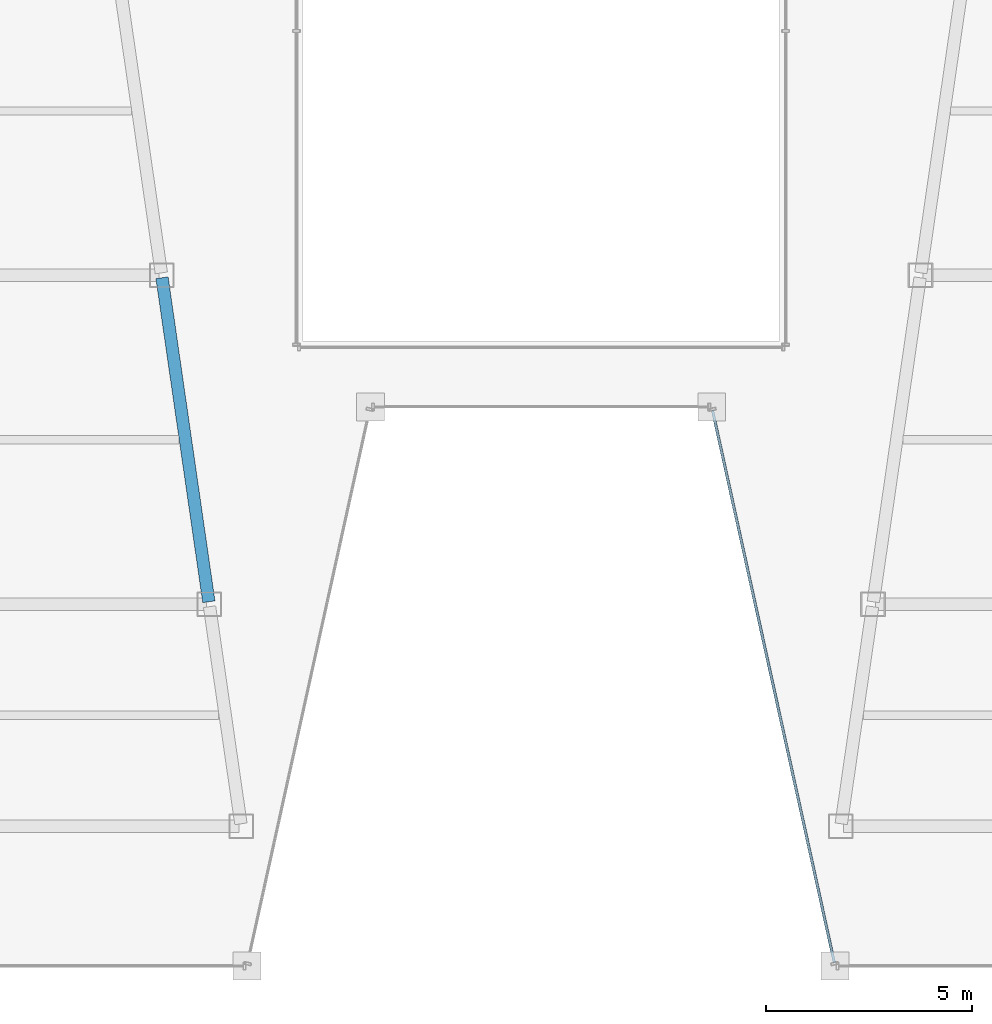
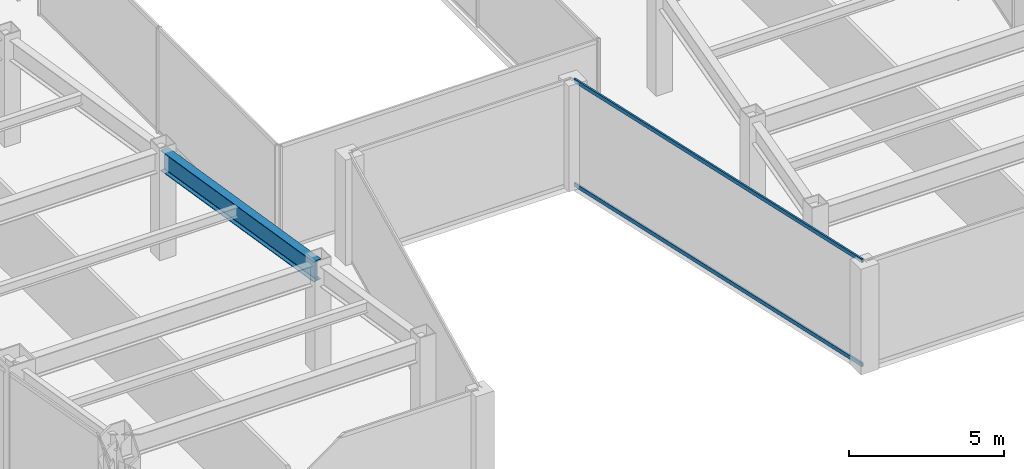
# One storey, part 6 of 37: 2 members, 1 beam, 1 element without a shape of its own.
"""IFC4 building model written with IfcOpenShell, lengths in metres."""

from ifc_helpers import new_model, si_unit, direction, frame, origin, origin_2d, place, context, subcontext, project, spatial, hollow_rectangle, i_section, extrude, material, material_profile, profile_set, type_object, element, aggregate, save


model = new_model("IFC4")

# Units and contexts
model_context = context("Model", 3, precision=1e-05, world=origin(), true_north=direction((0.0, 1.0)))
body_context = subcontext(model_context, "Body", "Model", "MODEL_VIEW")
ifc_project = project(units=[si_unit("LENGTHUNIT", "METRE"), si_unit("AREAUNIT", "SQUARE_METRE"), si_unit("VOLUMEUNIT", "CUBIC_METRE"), si_unit("PLANEANGLEUNIT", "RADIAN"), si_unit("MASSUNIT", "GRAM", prefix="KILO")], contexts=[model_context])

# Site, building, storey
site_placement = place(None, origin())
site = spatial("IfcSite", under=ifc_project, at=site_placement, CompositionType="ELEMENT")
building_placement = place(site_placement, origin())
building = spatial("IfcBuilding", under=site, at=building_placement, Name="Saevonmaru Cultural Tower", CompositionType="ELEMENT")
storey_placement = place(building_placement, frame((0.0, 0.0, 110.39990234375)))
storey = spatial("IfcBuildingStorey", under=building, at=storey_placement, Name="L23", CompositionType="ELEMENT", Elevation=110.39990234375)

# Beam
ifc_material_1 = material(Name="Steel SM420", Category="steel")
ifc_material_profile_1 = material_profile(ifc_material_1, i_section(OverallWidth=0.300048828125, OverallDepth=0.800048828125, WebThickness=0.013916015625, FlangeThickness=0.02587890625, FilletRadius=0.028076171875, at=origin_2d()), Name="H-800x300x14x26")
ifc_profile_set_1 = profile_set([ifc_material_profile_1], Name="Steel SM420")
beam_type = type_object("IfcBeamType", Name="BM-G-H800", PredefinedType="BEAM", material=ifc_profile_set_1)
beam_placement = place(storey_placement, frame((21.91943359375, 16.059326171875, 3.75), z_axis=(-0.143022161059, 0.989719486241, 0.0), x_axis=(-0.989719486241, -0.143022161059, 0.0)))
element("IfcBeam", 1, at=beam_placement, inside=storey, type_object=beam_type, Name="L23 West Atrium Girder 2", PredefinedType="BEAM", context=body_context, shape_type="SweptSolid", body=[
    extrude(i_section(OverallWidth=0.300048828125, OverallDepth=0.800048828125, WebThickness=0.013916015625, FlangeThickness=0.02587890625, FilletRadius=0.028076171875, at=origin_2d()), origin(), (0.0, 0.0, 1.0), 7.963134765625),
])

# Curtain wall, members
ifc_material_2 = material(Name="Satin Bronze Anodised Aluminium", Category="aluminium")
curtain_wall_type = type_object("IfcCurtainWallType", Name="CW-TYP-A", PredefinedType="NOTDEFINED", material=ifc_material_2)
curtain_wall_placement = place(storey_placement, origin())
curtain_wall = element("IfcCurtainWall", 2, at=curtain_wall_placement, inside=storey, type_object=curtain_wall_type, Name="L23 Unitised Curtain Wall E5", PredefinedType="NOTDEFINED")
ifc_material_profile_2 = material_profile(ifc_material_2, hollow_rectangle(XDim=0.06494140625, YDim=0.14990234375, WallThickness=0.00390625, at=origin_2d()), Name="ALU-TRAN-150x65x4")
ifc_profile_set_2 = profile_set([ifc_material_profile_2], Name="Satin Bronze Anodised Aluminium")
member_type = type_object("IfcMemberType", Name="TR-CW-150x65", PredefinedType="USERDEFINED", material=ifc_profile_set_2)
member_1_placement = place(storey_placement, frame((34.1708984375, 20.709716796875, 0.03271484375), z_axis=(0.21541214732, -0.976523223885, 0.0), x_axis=(0.976523223885, 0.21541214732, 0.0)))
member_1 = element("IfcMember", 3, at=member_1_placement, type_object=member_type, Name="CW-TW-L23-E5 transom 1.1", ObjectType="TRANSOM", PredefinedType="USERDEFINED", context=body_context, shape_type="SweptSolid", body=[
    extrude(hollow_rectangle(XDim=0.06494140625, YDim=0.14990234375, WallThickness=0.00390625, at=origin_2d()), origin(), (0.0, 0.0, 1.0), 13.741943359375),
])
member_2_placement = place(storey_placement, frame((34.1708984375, 20.709716796875, 4.11767578125), z_axis=(0.21541214732, -0.976523223885, 0.0), x_axis=(0.976523223885, 0.21541214732, 0.0)))
member_2 = element("IfcMember", 4, at=member_2_placement, type_object=member_type, Name="CW-TW-L23-E5 transom 1.2", ObjectType="TRANSOM", PredefinedType="USERDEFINED", context=body_context, shape_type="SweptSolid", body=[
    extrude(hollow_rectangle(XDim=0.06494140625, YDim=0.14990234375, WallThickness=0.00390625, at=origin_2d()), origin(), (0.0, 0.0, 1.0), 13.741943359375),
])
aggregate(curtain_wall, [member_1, member_2])

save(model, "model.ifc")
